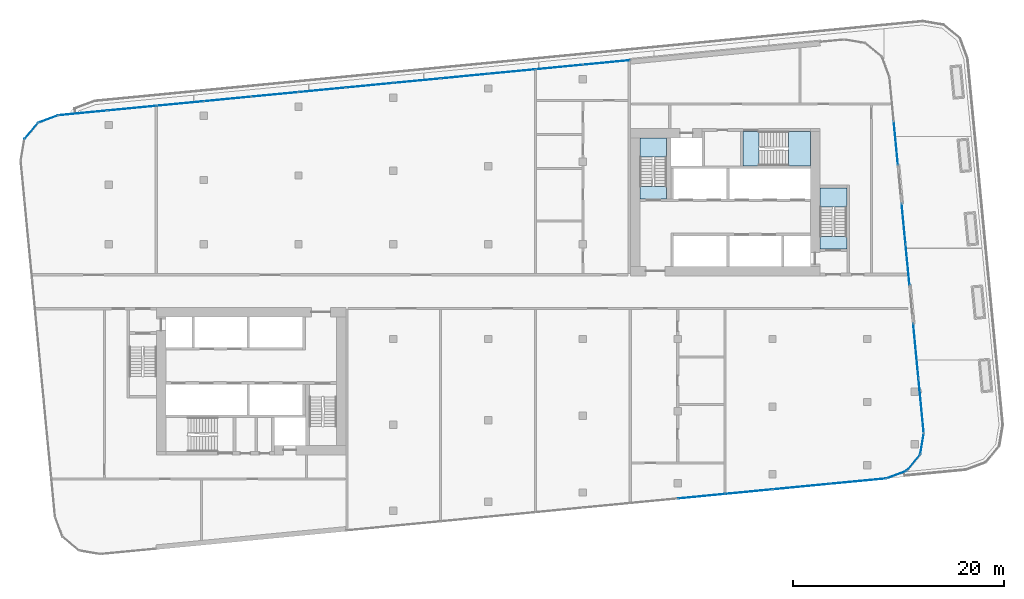
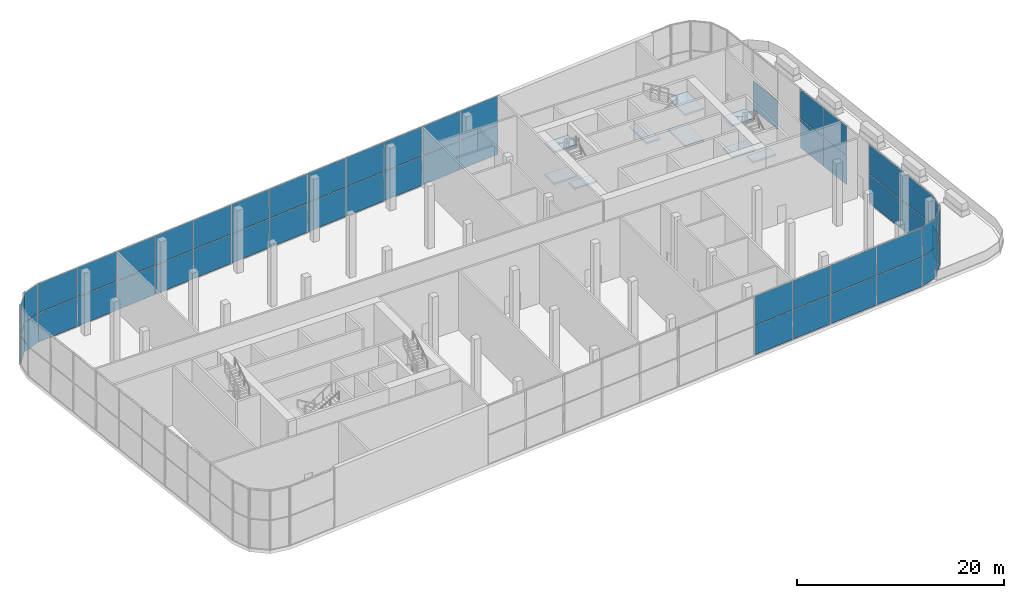
# One storey, part 10 of 25: 51 plates, 9 slabs, 18 elements without a shape of their own.
"""IFC4 building model written with IfcOpenShell, lengths in metres."""

from ifc_helpers import new_model, si_unit, direction, frame, origin, origin_2d, place, context, subcontext, project, spatial, polyline, rectangle, outline, extrude, material, layer, layer_set, type_object, element, aggregate, save


model = new_model("IFC4")

# Units and contexts
model_context = context("Model", 3, precision=1e-05, world=origin(), true_north=direction((0.0, 1.0)))
body_context = subcontext(model_context, "Body", "Model", "MODEL_VIEW")
ifc_project = project(units=[si_unit("LENGTHUNIT", "METRE"), si_unit("AREAUNIT", "SQUARE_METRE"), si_unit("VOLUMEUNIT", "CUBIC_METRE"), si_unit("PLANEANGLEUNIT", "RADIAN"), si_unit("MASSUNIT", "GRAM", prefix="KILO")], contexts=[model_context])

# Site, building, storey
site_placement = place(None, origin())
site = spatial("IfcSite", under=ifc_project, at=site_placement, CompositionType="ELEMENT")
building_placement = place(site_placement, origin())
building = spatial("IfcBuilding", under=site, at=building_placement, Name="Kajstack Hotel Tower", CompositionType="ELEMENT")
storey_placement = place(building_placement, frame((0.0, 0.0, 155.0)))
storey = spatial("IfcBuildingStorey", under=building, at=storey_placement, Name="L36", CompositionType="ELEMENT", Elevation=155.0)

# Curtain wall, plates
ifc_material_1 = material(Name="Aluminium-framed curtain wall, insulated glass with fritted edge", Category="aluminium")
curtain_wall_type = type_object("IfcCurtainWallType", Name="CW-SPA", PredefinedType="NOTDEFINED", material=ifc_material_1)
curtain_wall_1_placement = place(storey_placement, origin())
curtain_wall_1 = element("IfcCurtainWall", 1, at=curtain_wall_1_placement, inside=storey, type_object=curtain_wall_type, Name="Curtain wall CU7 L36-04-02-3", PredefinedType="NOTDEFINED")
ifc_material_2 = material(Name="Insulated glass with fritted edge", Category="glass")
ifc_layer_1 = layer(ifc_material_2, 0.035888671875)
ifc_layer_set_1 = layer_set([ifc_layer_1], Name="CW-P-SPA")
plate_type = type_object("IfcPlateType", Name="CW-P-SPA", PredefinedType="CURTAIN_PANEL", material=ifc_layer_set_1)
plate_1_placement = place(storey_placement, frame((20.2578125, -19.4267578125, 0.06005859375), z_axis=(0.0, 0.0, 1.0), x_axis=(0.995396238823, 0.095845332373, 0.0)))
plate_1 = element("IfcPlate", 2, at=plate_1_placement, type_object=plate_type, Name="CU7 panel 1.1", PredefinedType="CURTAIN_PANEL", context=body_context, shape_type="SweptSolid", body=[
    extrude(rectangle(XDim=4.430908203125, YDim=0.035888671875, at=origin_2d()), origin(), (0.0, 0.0, 1.0), 3.409912109375),
])
plate_2_placement = place(storey_placement, frame((20.2578125, -19.4267578125, 3.5302734375), z_axis=(0.0, 0.0, 1.0), x_axis=(0.995396238823, 0.095845332373, 0.0)))
plate_2 = element("IfcPlate", 3, at=plate_2_placement, type_object=plate_type, Name="CU7 panel 1.2", PredefinedType="CURTAIN_PANEL", context=body_context, shape_type="SweptSolid", body=[
    extrude(rectangle(XDim=4.430908203125, YDim=0.035888671875, at=origin_2d()), origin(), (0.0, 0.0, 1.0), 3.409912109375),
])
plate_3_placement = place(storey_placement, frame((24.727783203125, -18.996337890625, 0.06005859375), z_axis=(0.0, 0.0, 1.0), x_axis=(0.995396238823, 0.095845332373, 0.0)))
plate_3 = element("IfcPlate", 4, at=plate_3_placement, type_object=plate_type, Name="CU7 panel 2.1", PredefinedType="CURTAIN_PANEL", context=body_context, shape_type="SweptSolid", body=[
    extrude(rectangle(XDim=4.430908203125, YDim=0.035888671875, at=origin_2d()), origin(), (0.0, 0.0, 1.0), 3.409912109375),
])
plate_4_placement = place(storey_placement, frame((24.727783203125, -18.996337890625, 3.5302734375), z_axis=(0.0, 0.0, 1.0), x_axis=(0.995396238823, 0.095845332373, 0.0)))
plate_4 = element("IfcPlate", 5, at=plate_4_placement, type_object=plate_type, Name="CU7 panel 2.2", PredefinedType="CURTAIN_PANEL", context=body_context, shape_type="SweptSolid", body=[
    extrude(rectangle(XDim=4.430908203125, YDim=0.035888671875, at=origin_2d()), origin(), (0.0, 0.0, 1.0), 3.409912109375),
])
aggregate(curtain_wall_1, [plate_1, plate_2, plate_3, plate_4])

curtain_wall_2_placement = place(storey_placement, origin())
curtain_wall_2 = element("IfcCurtainWall", 6, at=curtain_wall_2_placement, inside=storey, type_object=curtain_wall_type, Name="Curtain wall CU7 L36-04-02-4", PredefinedType="NOTDEFINED")
plate_5_placement = place(storey_placement, frame((29.7177734375, -18.515869140625, 0.06005859375), z_axis=(0.0, 0.0, 1.0), x_axis=(0.995396231526, 0.095845408154, 0.0)))
plate_5 = element("IfcPlate", 7, at=plate_5_placement, type_object=plate_type, Name="CU7 panel 1.1", PredefinedType="CURTAIN_PANEL", context=body_context, shape_type="SweptSolid", body=[
    extrude(rectangle(XDim=5.355224609375, YDim=0.035888671875, at=origin_2d()), origin(), (0.0, 0.0, 1.0), 3.409912109375),
])
plate_6_placement = place(storey_placement, frame((29.7177734375, -18.515869140625, 3.5302734375), z_axis=(0.0, 0.0, 1.0), x_axis=(0.995396231526, 0.095845408154, 0.0)))
plate_6 = element("IfcPlate", 8, at=plate_6_placement, type_object=plate_type, Name="CU7 panel 1.2", PredefinedType="CURTAIN_PANEL", context=body_context, shape_type="SweptSolid", body=[
    extrude(rectangle(XDim=5.355224609375, YDim=0.035888671875, at=origin_2d()), origin(), (0.0, 0.0, 1.0), 3.409912109375),
])
plate_7_placement = place(storey_placement, frame((35.10791015625, -17.996826171875, 0.06005859375), z_axis=(0.0, 0.0, 1.0), x_axis=(0.995396231526, 0.095845408154, 0.0)))
plate_7 = element("IfcPlate", 9, at=plate_7_placement, type_object=plate_type, Name="CU7 panel 2.1", PredefinedType="CURTAIN_PANEL", context=body_context, shape_type="SweptSolid", body=[
    extrude(rectangle(XDim=5.355224609375, YDim=0.035888671875, at=origin_2d()), origin(), (0.0, 0.0, 1.0), 3.409912109375),
])
plate_8_placement = place(storey_placement, frame((35.10791015625, -17.996826171875, 3.5302734375), z_axis=(0.0, 0.0, 1.0), x_axis=(0.995396231526, 0.095845408154, 0.0)))
plate_8 = element("IfcPlate", 10, at=plate_8_placement, type_object=plate_type, Name="CU7 panel 2.2", PredefinedType="CURTAIN_PANEL", context=body_context, shape_type="SweptSolid", body=[
    extrude(rectangle(XDim=5.355224609375, YDim=0.035888671875, at=origin_2d()), origin(), (0.0, 0.0, 1.0), 3.409912109375),
])
aggregate(curtain_wall_2, [plate_5, plate_6, plate_7, plate_8])

curtain_wall_3_placement = place(storey_placement, origin())
curtain_wall_3 = element("IfcCurtainWall", 11, at=curtain_wall_3_placement, inside=storey, type_object=curtain_wall_type, Name="Curtain wall CU7 L36-05-00-0", PredefinedType="NOTDEFINED")
plate_9_placement = place(storey_placement, frame((38.783447265625, -17.376220703125, 0.06005859375), z_axis=(0.0, 0.0, 1.0), x_axis=(0.936674082046, 0.3502023187, 0.0)))
plate_9 = element("IfcPlate", 12, at=plate_9_placement, type_object=plate_type, Name="CU7 panel 1.1", PredefinedType="CURTAIN_PANEL", context=body_context, shape_type="SweptSolid", body=[
    extrude(rectangle(XDim=1.950439453125, YDim=0.035888671875, at=origin_2d()), origin(), (0.0, 0.0, 1.0), 3.409912109375),
])
plate_10_placement = place(storey_placement, frame((38.783447265625, -17.376220703125, 3.5302734375), z_axis=(0.0, 0.0, 1.0), x_axis=(0.936674082046, 0.3502023187, 0.0)))
plate_10 = element("IfcPlate", 13, at=plate_10_placement, type_object=plate_type, Name="CU7 panel 1.2", PredefinedType="CURTAIN_PANEL", context=body_context, shape_type="SweptSolid", body=[
    extrude(rectangle(XDim=1.950439453125, YDim=0.035888671875, at=origin_2d()), origin(), (0.0, 0.0, 1.0), 3.409912109375),
])
aggregate(curtain_wall_3, [plate_9, plate_10])

curtain_wall_4_placement = place(storey_placement, origin())
curtain_wall_4 = element("IfcCurtainWall", 14, at=curtain_wall_4_placement, inside=storey, type_object=curtain_wall_type, Name="Curtain wall CU7 L36-06-00-0", PredefinedType="NOTDEFINED")
plate_11_placement = place(storey_placement, frame((40.380126953125, -16.237548828125, 0.06005859375), z_axis=(0.0, 0.0, 1.0), x_axis=(0.636094828048, 0.771610892698, 0.0)))
plate_11 = element("IfcPlate", 15, at=plate_11_placement, type_object=plate_type, Name="CU7 panel 1.1", PredefinedType="CURTAIN_PANEL", context=body_context, shape_type="SweptSolid", body=[
    extrude(rectangle(XDim=1.95068359375, YDim=0.035888671875, at=origin_2d()), origin(), (0.0, 0.0, 1.0), 3.409912109375),
])
plate_12_placement = place(storey_placement, frame((40.380126953125, -16.237548828125, 3.5302734375), z_axis=(0.0, 0.0, 1.0), x_axis=(0.636094828048, 0.771610892698, 0.0)))
plate_12 = element("IfcPlate", 16, at=plate_12_placement, type_object=plate_type, Name="CU7 panel 1.2", PredefinedType="CURTAIN_PANEL", context=body_context, shape_type="SweptSolid", body=[
    extrude(rectangle(XDim=1.95068359375, YDim=0.035888671875, at=origin_2d()), origin(), (0.0, 0.0, 1.0), 3.409912109375),
])
aggregate(curtain_wall_4, [plate_11, plate_12])

curtain_wall_5_placement = place(storey_placement, origin())
curtain_wall_5 = element("IfcCurtainWall", 17, at=curtain_wall_5_placement, inside=storey, type_object=curtain_wall_type, Name="Curtain wall CU7 L36-07-00-0", PredefinedType="NOTDEFINED")
plate_13_placement = place(storey_placement, frame((41.193359375, -14.452880859375, 0.06005859375), z_axis=(0.0, 0.0, 1.0), x_axis=(0.165025489464, 0.986289302298, 0.0)))
plate_13 = element("IfcPlate", 18, at=plate_13_placement, type_object=plate_type, Name="CU7 panel 1.1", PredefinedType="CURTAIN_PANEL", context=body_context, shape_type="SweptSolid", body=[
    extrude(rectangle(XDim=1.95068359375, YDim=0.035888671875, at=origin_2d()), origin(), (0.0, 0.0, 1.0), 3.409912109375),
])
plate_14_placement = place(storey_placement, frame((41.193359375, -14.452880859375, 3.5302734375), z_axis=(0.0, 0.0, 1.0), x_axis=(0.165025489464, 0.986289302298, 0.0)))
plate_14 = element("IfcPlate", 19, at=plate_14_placement, type_object=plate_type, Name="CU7 panel 1.2", PredefinedType="CURTAIN_PANEL", context=body_context, shape_type="SweptSolid", body=[
    extrude(rectangle(XDim=1.95068359375, YDim=0.035888671875, at=origin_2d()), origin(), (0.0, 0.0, 1.0), 3.409912109375),
])
aggregate(curtain_wall_5, [plate_13, plate_14])

curtain_wall_6_placement = place(storey_placement, origin())
curtain_wall_6 = element("IfcCurtainWall", 20, at=curtain_wall_6_placement, inside=storey, type_object=curtain_wall_type, Name="Curtain wall CU7 L36-08-00-0", PredefinedType="NOTDEFINED")
plate_15_placement = place(storey_placement, frame((41.110595703125, -10.8232421875, 0.06005859375), z_axis=(0.0, 0.0, 1.0), x_axis=(-0.095844311, 0.995396337169, 0.0)))
plate_15 = element("IfcPlate", 21, at=plate_15_placement, type_object=plate_type, Name="CU7 panel 1.1", PredefinedType="CURTAIN_PANEL", context=body_context, shape_type="SweptSolid", body=[
    extrude(rectangle(XDim=5.160400390625, YDim=0.035888671875, at=origin_2d()), origin(), (0.0, 0.0, 1.0), 3.409912109375),
])
plate_16_placement = place(storey_placement, frame((41.110595703125, -10.8232421875, 3.5302734375), z_axis=(0.0, 0.0, 1.0), x_axis=(-0.095844311, 0.995396337169, 0.0)))
plate_16 = element("IfcPlate", 22, at=plate_16_placement, type_object=plate_type, Name="CU7 panel 1.2", PredefinedType="CURTAIN_PANEL", context=body_context, shape_type="SweptSolid", body=[
    extrude(rectangle(XDim=5.160400390625, YDim=0.035888671875, at=origin_2d()), origin(), (0.0, 0.0, 1.0), 3.409912109375),
])
plate_17_placement = place(storey_placement, frame((40.6103515625, -5.626953125, 0.06005859375), z_axis=(0.0, 0.0, 1.0), x_axis=(-0.095844311, 0.995396337169, 0.0)))
plate_17 = element("IfcPlate", 23, at=plate_17_placement, type_object=plate_type, Name="CU7 panel 2.1", PredefinedType="CURTAIN_PANEL", context=body_context, shape_type="SweptSolid", body=[
    extrude(rectangle(XDim=5.160400390625, YDim=0.035888671875, at=origin_2d()), origin(), (0.0, 0.0, 1.0), 3.409912109375),
])
plate_18_placement = place(storey_placement, frame((40.6103515625, -5.626953125, 3.5302734375), z_axis=(0.0, 0.0, 1.0), x_axis=(-0.095844311, 0.995396337169, 0.0)))
plate_18 = element("IfcPlate", 24, at=plate_18_placement, type_object=plate_type, Name="CU7 panel 2.2", PredefinedType="CURTAIN_PANEL", context=body_context, shape_type="SweptSolid", body=[
    extrude(rectangle(XDim=5.160400390625, YDim=0.035888671875, at=origin_2d()), origin(), (0.0, 0.0, 1.0), 3.409912109375),
])
aggregate(curtain_wall_6, [plate_15, plate_16, plate_17, plate_18])

curtain_wall_7_placement = place(storey_placement, origin())
curtain_wall_7 = element("IfcCurtainWall", 25, at=curtain_wall_7_placement, inside=storey, type_object=curtain_wall_type, Name="Curtain wall CU7 L36-08-02-0", PredefinedType="NOTDEFINED")
plate_19_placement = place(storey_placement, frame((39.822509765625, 2.553466796875, 0.06005859375), z_axis=(0.0, 0.0, 1.0), x_axis=(-0.095844295851, 0.995396338627, 0.0)))
plate_19 = element("IfcPlate", 26, at=plate_19_placement, type_object=plate_type, Name="CU7 panel 1.1", PredefinedType="CURTAIN_PANEL", context=body_context, shape_type="SweptSolid", body=[
    extrude(rectangle(XDim=3.83642578125, YDim=0.035888671875, at=origin_2d()), origin(), (0.0, 0.0, 1.0), 3.409912109375),
])
plate_20_placement = place(storey_placement, frame((39.822509765625, 2.553466796875, 3.5302734375), z_axis=(0.0, 0.0, 1.0), x_axis=(-0.095844295851, 0.995396338627, 0.0)))
plate_20 = element("IfcPlate", 27, at=plate_20_placement, type_object=plate_type, Name="CU7 panel 1.2", PredefinedType="CURTAIN_PANEL", context=body_context, shape_type="SweptSolid", body=[
    extrude(rectangle(XDim=3.83642578125, YDim=0.035888671875, at=origin_2d()), origin(), (0.0, 0.0, 1.0), 3.409912109375),
])
plate_21_placement = place(storey_placement, frame((39.44921875, 6.431884765625, 0.06005859375), z_axis=(0.0, 0.0, 1.0), x_axis=(-0.095844295851, 0.995396338627, 0.0)))
plate_21 = element("IfcPlate", 28, at=plate_21_placement, type_object=plate_type, Name="CU7 panel 2.1", PredefinedType="CURTAIN_PANEL", context=body_context, shape_type="SweptSolid", body=[
    extrude(rectangle(XDim=3.83642578125, YDim=0.035888671875, at=origin_2d()), origin(), (0.0, 0.0, 1.0), 3.409912109375),
])
plate_22_placement = place(storey_placement, frame((39.44921875, 6.431884765625, 3.5302734375), z_axis=(0.0, 0.0, 1.0), x_axis=(-0.095844295851, 0.995396338627, 0.0)))
plate_22 = element("IfcPlate", 29, at=plate_22_placement, type_object=plate_type, Name="CU7 panel 2.2", PredefinedType="CURTAIN_PANEL", context=body_context, shape_type="SweptSolid", body=[
    extrude(rectangle(XDim=3.83642578125, YDim=0.035888671875, at=origin_2d()), origin(), (0.0, 0.0, 1.0), 3.409912109375),
])
aggregate(curtain_wall_7, [plate_19, plate_20, plate_21, plate_22])

# Curtain wall, plate
curtain_wall_8_placement = place(storey_placement, origin())
curtain_wall_8 = element("IfcCurtainWall", 30, at=curtain_wall_8_placement, inside=storey, type_object=curtain_wall_type, Name="Curtain wall CU7 L36-08-04-0", PredefinedType="NOTDEFINED")
plate_23_placement = place(storey_placement, frame((38.710693359375, 14.101318359375, 0.06005859375), z_axis=(0.0, 0.0, 1.0), x_axis=(-0.095844365551, 0.995396331916, 0.0)))
plate_23 = element("IfcPlate", 31, at=plate_23_placement, type_object=plate_type, Name="CU7 panel 1.1", PredefinedType="CURTAIN_PANEL", context=body_context, shape_type="SweptSolid", body=[
    extrude(rectangle(XDim=4.13330078125, YDim=0.035888671875, at=origin_2d()), origin(), (0.0, 0.0, 1.0), 3.409912109375),
])
aggregate(curtain_wall_8, [plate_23])

# Curtain wall, plates
curtain_wall_9_placement = place(storey_placement, origin())
curtain_wall_9 = element("IfcCurtainWall", 32, at=curtain_wall_9_placement, inside=storey, type_object=curtain_wall_type, Name="Curtain wall CU7 L36-12-02-0", PredefinedType="NOTDEFINED")
plate_24_placement = place(storey_placement, frame((11.2421875, 21.748779296875, 0.06005859375), z_axis=(0.0, 0.0, 1.0), x_axis=(-0.995396238823, -0.095845332373, 0.0)))
plate_24 = element("IfcPlate", 33, at=plate_24_placement, type_object=plate_type, Name="CU7 panel 1.1", PredefinedType="CURTAIN_PANEL", context=body_context, shape_type="SweptSolid", body=[
    extrude(rectangle(XDim=4.430908203125, YDim=0.035888671875, at=origin_2d()), origin(), (0.0, 0.0, 1.0), 3.409912109375),
])
plate_25_placement = place(storey_placement, frame((11.2421875, 21.748779296875, 3.5302734375), z_axis=(0.0, 0.0, 1.0), x_axis=(-0.995396238823, -0.095845332373, 0.0)))
plate_25 = element("IfcPlate", 34, at=plate_25_placement, type_object=plate_type, Name="CU7 panel 1.2", PredefinedType="CURTAIN_PANEL", context=body_context, shape_type="SweptSolid", body=[
    extrude(rectangle(XDim=4.430908203125, YDim=0.035888671875, at=origin_2d()), origin(), (0.0, 0.0, 1.0), 3.409912109375),
])
plate_26_placement = place(storey_placement, frame((6.772216796875, 21.318359375, 0.06005859375), z_axis=(0.0, 0.0, 1.0), x_axis=(-0.995396238823, -0.095845332373, 0.0)))
plate_26 = element("IfcPlate", 35, at=plate_26_placement, type_object=plate_type, Name="CU7 panel 2.1", PredefinedType="CURTAIN_PANEL", context=body_context, shape_type="SweptSolid", body=[
    extrude(rectangle(XDim=4.430908203125, YDim=0.035888671875, at=origin_2d()), origin(), (0.0, 0.0, 1.0), 3.409912109375),
])
plate_27_placement = place(storey_placement, frame((6.772216796875, 21.318359375, 3.5302734375), z_axis=(0.0, 0.0, 1.0), x_axis=(-0.995396238823, -0.095845332373, 0.0)))
plate_27 = element("IfcPlate", 36, at=plate_27_placement, type_object=plate_type, Name="CU7 panel 2.2", PredefinedType="CURTAIN_PANEL", context=body_context, shape_type="SweptSolid", body=[
    extrude(rectangle(XDim=4.430908203125, YDim=0.035888671875, at=origin_2d()), origin(), (0.0, 0.0, 1.0), 3.409912109375),
])
aggregate(curtain_wall_9, [plate_24, plate_25, plate_26, plate_27])

curtain_wall_10_placement = place(storey_placement, origin())
curtain_wall_10 = element("IfcCurtainWall", 37, at=curtain_wall_10_placement, inside=storey, type_object=curtain_wall_type, Name="Curtain wall CU7 L36-12-02-1", PredefinedType="NOTDEFINED")
plate_28_placement = place(storey_placement, frame((2.2421875, 20.882080078125, 0.06005859375), z_axis=(0.0, 0.0, 1.0), x_axis=(-0.995396234967, -0.095845372418, 0.0)))
plate_28 = element("IfcPlate", 38, at=plate_28_placement, type_object=plate_type, Name="CU7 panel 1.1", PredefinedType="CURTAIN_PANEL", context=body_context, shape_type="SweptSolid", body=[
    extrude(rectangle(XDim=4.430908203125, YDim=0.035888671875, at=origin_2d()), origin(), (0.0, 0.0, 1.0), 3.409912109375),
])
plate_29_placement = place(storey_placement, frame((2.2421875, 20.882080078125, 3.5302734375), z_axis=(0.0, 0.0, 1.0), x_axis=(-0.995396234967, -0.095845372418, 0.0)))
plate_29 = element("IfcPlate", 39, at=plate_29_placement, type_object=plate_type, Name="CU7 panel 1.2", PredefinedType="CURTAIN_PANEL", context=body_context, shape_type="SweptSolid", body=[
    extrude(rectangle(XDim=4.430908203125, YDim=0.035888671875, at=origin_2d()), origin(), (0.0, 0.0, 1.0), 3.409912109375),
])
plate_30_placement = place(storey_placement, frame((-2.242919921875, 20.4501953125, 0.06005859375), z_axis=(0.0, 0.0, 1.0), x_axis=(-0.995396234967, -0.095845372418, 0.0)))
plate_30 = element("IfcPlate", 40, at=plate_30_placement, type_object=plate_type, Name="CU7 panel 2.1", PredefinedType="CURTAIN_PANEL", context=body_context, shape_type="SweptSolid", body=[
    extrude(rectangle(XDim=4.460693359375, YDim=0.035888671875, at=origin_2d()), origin(), (0.0, 0.0, 1.0), 3.409912109375),
])
plate_31_placement = place(storey_placement, frame((-2.242919921875, 20.4501953125, 3.5302734375), z_axis=(0.0, 0.0, 1.0), x_axis=(-0.995396234967, -0.095845372418, 0.0)))
plate_31 = element("IfcPlate", 41, at=plate_31_placement, type_object=plate_type, Name="CU7 panel 2.2", PredefinedType="CURTAIN_PANEL", context=body_context, shape_type="SweptSolid", body=[
    extrude(rectangle(XDim=4.460693359375, YDim=0.035888671875, at=origin_2d()), origin(), (0.0, 0.0, 1.0), 3.409912109375),
])
plate_32_placement = place(storey_placement, frame((-6.727783203125, 20.018310546875, 0.06005859375), z_axis=(0.0, 0.0, 1.0), x_axis=(-0.995396234967, -0.095845372418, 0.0)))
plate_32 = element("IfcPlate", 42, at=plate_32_placement, type_object=plate_type, Name="CU7 panel 3.1", PredefinedType="CURTAIN_PANEL", context=body_context, shape_type="SweptSolid", body=[
    extrude(rectangle(XDim=4.430908203125, YDim=0.035888671875, at=origin_2d()), origin(), (0.0, 0.0, 1.0), 3.409912109375),
])
plate_33_placement = place(storey_placement, frame((-6.727783203125, 20.018310546875, 3.5302734375), z_axis=(0.0, 0.0, 1.0), x_axis=(-0.995396234967, -0.095845372418, 0.0)))
plate_33 = element("IfcPlate", 43, at=plate_33_placement, type_object=plate_type, Name="CU7 panel 3.2", PredefinedType="CURTAIN_PANEL", context=body_context, shape_type="SweptSolid", body=[
    extrude(rectangle(XDim=4.430908203125, YDim=0.035888671875, at=origin_2d()), origin(), (0.0, 0.0, 1.0), 3.409912109375),
])
aggregate(curtain_wall_10, [plate_28, plate_29, plate_30, plate_31, plate_32, plate_33])

curtain_wall_11_placement = place(storey_placement, origin())
curtain_wall_11 = element("IfcCurtainWall", 44, at=curtain_wall_11_placement, inside=storey, type_object=curtain_wall_type, Name="Curtain wall CU7 L36-12-02-2", PredefinedType="NOTDEFINED")
plate_34_placement = place(storey_placement, frame((-11.2578125, 19.582275390625, 0.06005859375), z_axis=(0.0, 0.0, 1.0), x_axis=(-0.995396237806, -0.095845342936, 0.0)))
plate_34 = element("IfcPlate", 45, at=plate_34_placement, type_object=plate_type, Name="CU7 panel 1.1", PredefinedType="CURTAIN_PANEL", context=body_context, shape_type="SweptSolid", body=[
    extrude(rectangle(XDim=4.430908203125, YDim=0.035888671875, at=origin_2d()), origin(), (0.0, 0.0, 1.0), 3.409912109375),
])
plate_35_placement = place(storey_placement, frame((-11.2578125, 19.582275390625, 3.5302734375), z_axis=(0.0, 0.0, 1.0), x_axis=(-0.995396237806, -0.095845342936, 0.0)))
plate_35 = element("IfcPlate", 46, at=plate_35_placement, type_object=plate_type, Name="CU7 panel 1.2", PredefinedType="CURTAIN_PANEL", context=body_context, shape_type="SweptSolid", body=[
    extrude(rectangle(XDim=4.430908203125, YDim=0.035888671875, at=origin_2d()), origin(), (0.0, 0.0, 1.0), 3.409912109375),
])
plate_36_placement = place(storey_placement, frame((-15.727783203125, 19.15185546875, 0.06005859375), z_axis=(0.0, 0.0, 1.0), x_axis=(-0.995396237806, -0.095845342936, 0.0)))
plate_36 = element("IfcPlate", 47, at=plate_36_placement, type_object=plate_type, Name="CU7 panel 2.1", PredefinedType="CURTAIN_PANEL", context=body_context, shape_type="SweptSolid", body=[
    extrude(rectangle(XDim=4.430908203125, YDim=0.035888671875, at=origin_2d()), origin(), (0.0, 0.0, 1.0), 3.409912109375),
])
plate_37_placement = place(storey_placement, frame((-15.727783203125, 19.15185546875, 3.5302734375), z_axis=(0.0, 0.0, 1.0), x_axis=(-0.995396237806, -0.095845342936, 0.0)))
plate_37 = element("IfcPlate", 48, at=plate_37_placement, type_object=plate_type, Name="CU7 panel 2.2", PredefinedType="CURTAIN_PANEL", context=body_context, shape_type="SweptSolid", body=[
    extrude(rectangle(XDim=4.430908203125, YDim=0.035888671875, at=origin_2d()), origin(), (0.0, 0.0, 1.0), 3.409912109375),
])
aggregate(curtain_wall_11, [plate_34, plate_35, plate_36, plate_37])

curtain_wall_12_placement = place(storey_placement, origin())
curtain_wall_12 = element("IfcCurtainWall", 49, at=curtain_wall_12_placement, inside=storey, type_object=curtain_wall_type, Name="Curtain wall CU7 L36-12-02-3", PredefinedType="NOTDEFINED")
plate_38_placement = place(storey_placement, frame((-20.2578125, 18.715576171875, 0.06005859375), z_axis=(0.0, 0.0, 1.0), x_axis=(-0.995396238712, -0.09584533352, 0.0)))
plate_38 = element("IfcPlate", 50, at=plate_38_placement, type_object=plate_type, Name="CU7 panel 1.1", PredefinedType="CURTAIN_PANEL", context=body_context, shape_type="SweptSolid", body=[
    extrude(rectangle(XDim=4.430908203125, YDim=0.035888671875, at=origin_2d()), origin(), (0.0, 0.0, 1.0), 3.409912109375),
])
plate_39_placement = place(storey_placement, frame((-20.2578125, 18.715576171875, 3.5302734375), z_axis=(0.0, 0.0, 1.0), x_axis=(-0.995396238712, -0.09584533352, 0.0)))
plate_39 = element("IfcPlate", 51, at=plate_39_placement, type_object=plate_type, Name="CU7 panel 1.2", PredefinedType="CURTAIN_PANEL", context=body_context, shape_type="SweptSolid", body=[
    extrude(rectangle(XDim=4.430908203125, YDim=0.035888671875, at=origin_2d()), origin(), (0.0, 0.0, 1.0), 3.409912109375),
])
plate_40_placement = place(storey_placement, frame((-24.74267578125, 18.28369140625, 0.06005859375), z_axis=(0.0, 0.0, 1.0), x_axis=(-0.995396238712, -0.09584533352, 0.0)))
plate_40 = element("IfcPlate", 52, at=plate_40_placement, type_object=plate_type, Name="CU7 panel 2.1", PredefinedType="CURTAIN_PANEL", context=body_context, shape_type="SweptSolid", body=[
    extrude(rectangle(XDim=4.4609375, YDim=0.035888671875, at=origin_2d()), origin(), (0.0, 0.0, 1.0), 3.409912109375),
])
plate_41_placement = place(storey_placement, frame((-24.74267578125, 18.28369140625, 3.5302734375), z_axis=(0.0, 0.0, 1.0), x_axis=(-0.995396238712, -0.09584533352, 0.0)))
plate_41 = element("IfcPlate", 53, at=plate_41_placement, type_object=plate_type, Name="CU7 panel 2.2", PredefinedType="CURTAIN_PANEL", context=body_context, shape_type="SweptSolid", body=[
    extrude(rectangle(XDim=4.4609375, YDim=0.035888671875, at=origin_2d()), origin(), (0.0, 0.0, 1.0), 3.409912109375),
])
plate_42_placement = place(storey_placement, frame((-29.227783203125, 17.851806640625, 0.06005859375), z_axis=(0.0, 0.0, 1.0), x_axis=(-0.995396238712, -0.09584533352, 0.0)))
plate_42 = element("IfcPlate", 54, at=plate_42_placement, type_object=plate_type, Name="CU7 panel 3.1", PredefinedType="CURTAIN_PANEL", context=body_context, shape_type="SweptSolid", body=[
    extrude(rectangle(XDim=4.430908203125, YDim=0.035888671875, at=origin_2d()), origin(), (0.0, 0.0, 1.0), 3.409912109375),
])
plate_43_placement = place(storey_placement, frame((-29.227783203125, 17.851806640625, 3.5302734375), z_axis=(0.0, 0.0, 1.0), x_axis=(-0.995396238712, -0.09584533352, 0.0)))
plate_43 = element("IfcPlate", 55, at=plate_43_placement, type_object=plate_type, Name="CU7 panel 3.2", PredefinedType="CURTAIN_PANEL", context=body_context, shape_type="SweptSolid", body=[
    extrude(rectangle(XDim=4.430908203125, YDim=0.035888671875, at=origin_2d()), origin(), (0.0, 0.0, 1.0), 3.409912109375),
])
aggregate(curtain_wall_12, [plate_38, plate_39, plate_40, plate_41, plate_42, plate_43])

curtain_wall_13_placement = place(storey_placement, origin())
curtain_wall_13 = element("IfcCurtainWall", 56, at=curtain_wall_13_placement, inside=storey, type_object=curtain_wall_type, Name="Curtain wall CU7 L36-12-02-4", PredefinedType="NOTDEFINED")
plate_44_placement = place(storey_placement, frame((-33.8427734375, 17.407470703125, 0.06005859375), z_axis=(0.0, 0.0, 1.0), x_axis=(-0.995396232317, -0.095845399936, 0.0)))
plate_44 = element("IfcPlate", 57, at=plate_44_placement, type_object=plate_type, Name="CU7 panel 1.1", PredefinedType="CURTAIN_PANEL", context=body_context, shape_type="SweptSolid", body=[
    extrude(rectangle(XDim=4.6015625, YDim=0.035888671875, at=origin_2d()), origin(), (0.0, 0.0, 1.0), 3.409912109375),
])
plate_45_placement = place(storey_placement, frame((-33.8427734375, 17.407470703125, 3.5302734375), z_axis=(0.0, 0.0, 1.0), x_axis=(-0.995396232317, -0.095845399936, 0.0)))
plate_45 = element("IfcPlate", 58, at=plate_45_placement, type_object=plate_type, Name="CU7 panel 1.2", PredefinedType="CURTAIN_PANEL", context=body_context, shape_type="SweptSolid", body=[
    extrude(rectangle(XDim=4.6015625, YDim=0.035888671875, at=origin_2d()), origin(), (0.0, 0.0, 1.0), 3.409912109375),
])
plate_46_placement = place(storey_placement, frame((-38.48291015625, 16.960693359375, 0.06005859375), z_axis=(0.0, 0.0, 1.0), x_axis=(-0.995396232317, -0.095845399936, 0.0)))
plate_46 = element("IfcPlate", 59, at=plate_46_placement, type_object=plate_type, Name="CU7 panel 2.1", PredefinedType="CURTAIN_PANEL", context=body_context, shape_type="SweptSolid", body=[
    extrude(rectangle(XDim=4.6015625, YDim=0.035888671875, at=origin_2d()), origin(), (0.0, 0.0, 1.0), 3.409912109375),
])
plate_47_placement = place(storey_placement, frame((-38.48291015625, 16.960693359375, 3.5302734375), z_axis=(0.0, 0.0, 1.0), x_axis=(-0.995396232317, -0.095845399936, 0.0)))
plate_47 = element("IfcPlate", 60, at=plate_47_placement, type_object=plate_type, Name="CU7 panel 2.2", PredefinedType="CURTAIN_PANEL", context=body_context, shape_type="SweptSolid", body=[
    extrude(rectangle(XDim=4.6015625, YDim=0.035888671875, at=origin_2d()), origin(), (0.0, 0.0, 1.0), 3.409912109375),
])
aggregate(curtain_wall_13, [plate_44, plate_45, plate_46, plate_47])

curtain_wall_14_placement = place(storey_placement, origin())
curtain_wall_14 = element("IfcCurtainWall", 61, at=curtain_wall_14_placement, inside=storey, type_object=curtain_wall_type, Name="Curtain wall CU7 L36-13-00-0", PredefinedType="NOTDEFINED")
plate_48_placement = place(storey_placement, frame((-41.783447265625, 16.376220703125, 0.06005859375), z_axis=(0.0, 0.0, 1.0), x_axis=(-0.936674082046, -0.3502023187, 0.0)))
plate_48 = element("IfcPlate", 62, at=plate_48_placement, type_object=plate_type, Name="CU7 panel 1.1", PredefinedType="CURTAIN_PANEL", context=body_context, shape_type="SweptSolid", body=[
    extrude(rectangle(XDim=1.950439453125, YDim=0.035888671875, at=origin_2d()), origin(), (0.0, 0.0, 1.0), 3.409912109375),
])
plate_49_placement = place(storey_placement, frame((-41.783447265625, 16.376220703125, 3.5302734375), z_axis=(0.0, 0.0, 1.0), x_axis=(-0.936674082046, -0.3502023187, 0.0)))
plate_49 = element("IfcPlate", 63, at=plate_49_placement, type_object=plate_type, Name="CU7 panel 1.2", PredefinedType="CURTAIN_PANEL", context=body_context, shape_type="SweptSolid", body=[
    extrude(rectangle(XDim=1.950439453125, YDim=0.035888671875, at=origin_2d()), origin(), (0.0, 0.0, 1.0), 3.409912109375),
])
aggregate(curtain_wall_14, [plate_48, plate_49])

curtain_wall_15_placement = place(storey_placement, origin())
curtain_wall_15 = element("IfcCurtainWall", 64, at=curtain_wall_15_placement, inside=storey, type_object=curtain_wall_type, Name="Curtain wall CU7 L36-14-00-0", PredefinedType="NOTDEFINED")
plate_50_placement = place(storey_placement, frame((-43.380126953125, 15.237548828125, 0.06005859375), z_axis=(0.0, 0.0, 1.0), x_axis=(-0.636094828048, -0.771610892698, 0.0)))
plate_50 = element("IfcPlate", 65, at=plate_50_placement, type_object=plate_type, Name="CU7 panel 1.1", PredefinedType="CURTAIN_PANEL", context=body_context, shape_type="SweptSolid", body=[
    extrude(rectangle(XDim=1.95068359375, YDim=0.035888671875, at=origin_2d()), origin(), (0.0, 0.0, 1.0), 3.409912109375),
])
plate_51_placement = place(storey_placement, frame((-43.380126953125, 15.237548828125, 3.5302734375), z_axis=(0.0, 0.0, 1.0), x_axis=(-0.636094828048, -0.771610892698, 0.0)))
plate_51 = element("IfcPlate", 66, at=plate_51_placement, type_object=plate_type, Name="CU7 panel 1.2", PredefinedType="CURTAIN_PANEL", context=body_context, shape_type="SweptSolid", body=[
    extrude(rectangle(XDim=1.95068359375, YDim=0.035888671875, at=origin_2d()), origin(), (0.0, 0.0, 1.0), 3.409912109375),
])
aggregate(curtain_wall_15, [plate_50, plate_51])

# Stair, slabs
ifc_material_3 = material(Name="Concrete C40/50", Category="concrete")
stair_type_1 = type_object("IfcStairType", Name="Exit stair 1200", PredefinedType="HALF_TURN_STAIR", material=ifc_material_3)
stair_1_placement = place(storey_placement, origin())
stair_1 = element("IfcStair", 67, at=stair_1_placement, inside=storey, type_object=stair_type_1, Name="L36 stair E1", PredefinedType="HALF_TURN_STAIR")
ifc_layer_2 = layer(ifc_material_3, 0.199951171875)
ifc_layer_set_2 = layer_set([ifc_layer_2], Name="Stair landing 200")
slab_type = type_object("IfcSlabType", Name="Stair landing 200", PredefinedType="LANDING", material=ifc_layer_set_2)
slab_1_placement = place(storey_placement, frame((0.0, 0.0, 1.64990234375)))
slab_1 = element("IfcSlab", 68, at=slab_1_placement, type_object=slab_type, Name="E1 landing 1", PredefinedType="LANDING", context=body_context, shape_type="SweptSolid", body=[
    extrude(outline(polyline([(34.050048828125, 8.050048828125), (34.050048828125, 9.85009765625), (31.5, 9.85009765625), (31.5, 8.050048828125), (34.050048828125, 8.050048828125)])), origin(), (0.0, 0.0, 1.0), 0.2001953125),
])
slab_2_placement = place(storey_placement, frame((0.0, 0.0, 3.5)))
slab_2 = element("IfcSlab", 69, at=slab_2_placement, type_object=slab_type, Name="E1 landing 2", PredefinedType="LANDING", context=body_context, shape_type="SweptSolid", body=[
    extrude(outline(polyline([(34.050048828125, 4.050048828125), (34.050048828125, 5.25), (31.5, 5.25), (31.5, 4.050048828125), (34.050048828125, 4.050048828125)])), origin(), (0.0, 0.0, 1.0), 0.199951171875),
])
slab_3_placement = place(storey_placement, frame((0.0, 0.0, 5.35009765625)))
slab_3 = element("IfcSlab", 70, at=slab_3_placement, type_object=slab_type, Name="E1 landing 3", PredefinedType="LANDING", context=body_context, shape_type="SweptSolid", body=[
    extrude(outline(polyline([(34.050048828125, 8.050048828125), (34.050048828125, 9.85009765625), (31.5, 9.85009765625), (31.5, 8.050048828125), (34.050048828125, 8.050048828125)])), origin(), (0.0, 0.0, 1.0), 0.199951171875),
])
aggregate(stair_1, [slab_1, slab_2, slab_3])

stair_2_placement = place(storey_placement, origin())
stair_2 = element("IfcStair", 71, at=stair_2_placement, inside=storey, type_object=stair_type_1, Name="L36 stair E2", PredefinedType="HALF_TURN_STAIR")
slab_4_placement = place(storey_placement, frame((0.0, 0.0, 1.64990234375)))
slab_4 = element("IfcSlab", 72, at=slab_4_placement, type_object=slab_type, Name="E2 landing 1", PredefinedType="LANDING", context=body_context, shape_type="SweptSolid", body=[
    extrude(outline(polyline([(16.949951171875, 12.800048828125), (16.949951171875, 14.60009765625), (14.39990234375, 14.60009765625), (14.39990234375, 12.800048828125), (16.949951171875, 12.800048828125)])), origin(), (0.0, 0.0, 1.0), 0.2001953125),
])
slab_5_placement = place(storey_placement, frame((0.0, 0.0, 3.5)))
slab_5 = element("IfcSlab", 73, at=slab_5_placement, type_object=slab_type, Name="E2 landing 2", PredefinedType="LANDING", context=body_context, shape_type="SweptSolid", body=[
    extrude(outline(polyline([(16.949951171875, 8.800048828125), (16.949951171875, 10.0), (14.39990234375, 10.0), (14.39990234375, 8.800048828125), (16.949951171875, 8.800048828125)])), origin(), (0.0, 0.0, 1.0), 0.199951171875),
])
slab_6_placement = place(storey_placement, frame((0.0, 0.0, 5.35009765625)))
slab_6 = element("IfcSlab", 74, at=slab_6_placement, type_object=slab_type, Name="E2 landing 3", PredefinedType="LANDING", context=body_context, shape_type="SweptSolid", body=[
    extrude(outline(polyline([(16.949951171875, 12.800048828125), (16.949951171875, 14.60009765625), (14.39990234375, 14.60009765625), (14.39990234375, 12.800048828125), (16.949951171875, 12.800048828125)])), origin(), (0.0, 0.0, 1.0), 0.199951171875),
])
aggregate(stair_2, [slab_4, slab_5, slab_6])

stair_type_2 = type_object("IfcStairType", Name="Exit stair 1500", PredefinedType="HALF_TURN_STAIR", material=ifc_material_3)
stair_3_placement = place(storey_placement, origin())
stair_3 = element("IfcStair", 75, at=stair_3_placement, inside=storey, type_object=stair_type_2, Name="L36 stair E3", PredefinedType="HALF_TURN_STAIR")
slab_7_placement = place(storey_placement, frame((0.0, 0.0, 1.64990234375)))
slab_7 = element("IfcSlab", 76, at=slab_7_placement, type_object=slab_type, Name="E3 landing 1", PredefinedType="LANDING", context=body_context, shape_type="SweptSolid", body=[
    extrude(outline(polyline([(28.5, 11.949951171875), (30.60009765625, 11.949951171875), (30.60009765625, 15.199951171875), (28.5, 15.199951171875), (28.5, 11.949951171875)])), origin(), (0.0, 0.0, 1.0), 0.2001953125),
])
slab_8_placement = place(storey_placement, frame((0.0, 0.0, 3.5)))
slab_8 = element("IfcSlab", 77, at=slab_8_placement, type_object=slab_type, Name="E3 landing 2", PredefinedType="LANDING", context=body_context, shape_type="SweptSolid", body=[
    extrude(outline(polyline([(24.199951171875, 11.949951171875), (25.699951171875, 11.949951171875), (25.699951171875, 15.199951171875), (24.199951171875, 15.199951171875), (24.199951171875, 11.949951171875)])), origin(), (0.0, 0.0, 1.0), 0.199951171875),
])
slab_9_placement = place(storey_placement, frame((0.0, 0.0, 5.35009765625)))
slab_9 = element("IfcSlab", 78, at=slab_9_placement, type_object=slab_type, Name="E3 landing 3", PredefinedType="LANDING", context=body_context, shape_type="SweptSolid", body=[
    extrude(outline(polyline([(28.5, 11.949951171875), (30.60009765625, 11.949951171875), (30.60009765625, 15.199951171875), (28.5, 15.199951171875), (28.5, 11.949951171875)])), origin(), (0.0, 0.0, 1.0), 0.199951171875),
])
aggregate(stair_3, [slab_7, slab_8, slab_9])

save(model, "model.ifc")
